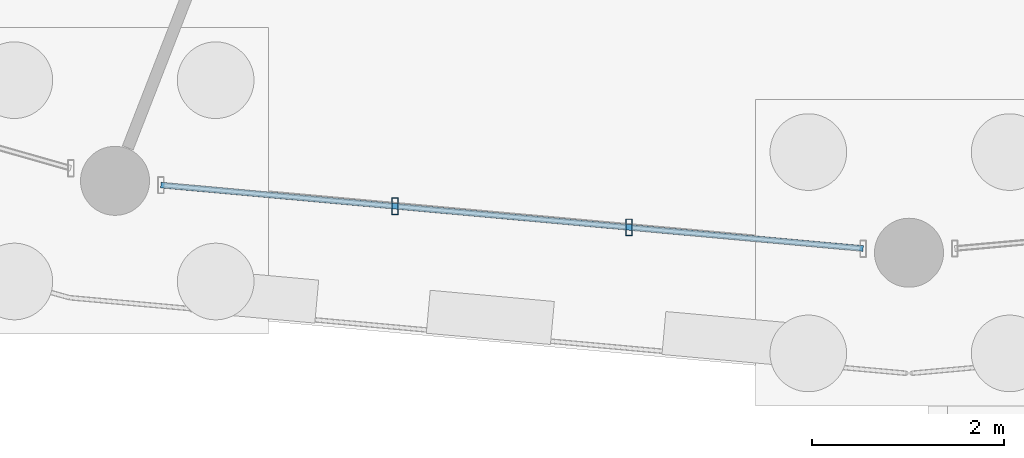
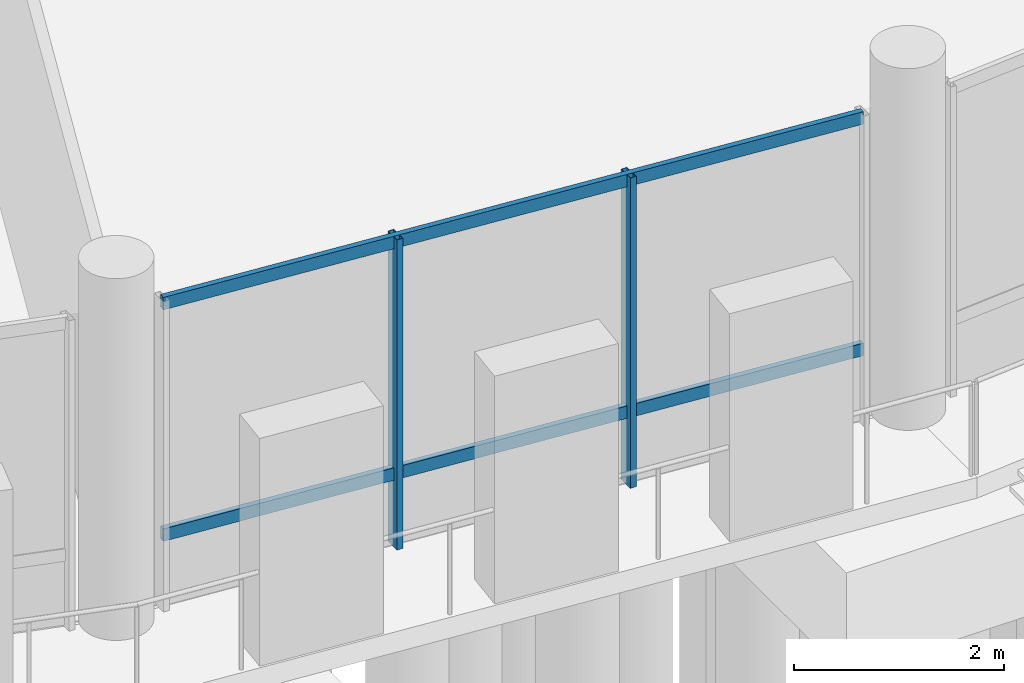
# One storey, part 33 of 98: 4 members, 1 element without a shape of its own.
"""IFC4 building model written with IfcOpenShell, lengths in metres."""

from ifc_helpers import new_model, si_unit, direction, frame, origin, origin_2d, place, context, subcontext, project, spatial, hollow_rectangle, extrude, material, material_profile, profile_set, type_object, element, aggregate, save


model = new_model("IFC4")

# Units and contexts
model_context = context("Model", 3, precision=1e-05, world=origin(), true_north=direction((0.0, 1.0)))
body_context = subcontext(model_context, "Body", "Model", "MODEL_VIEW")
ifc_project = project(units=[si_unit("LENGTHUNIT", "METRE"), si_unit("AREAUNIT", "SQUARE_METRE"), si_unit("VOLUMEUNIT", "CUBIC_METRE"), si_unit("PLANEANGLEUNIT", "RADIAN"), si_unit("MASSUNIT", "GRAM", prefix="KILO")], contexts=[model_context])

# Site, building, storey
site_placement = place(None, origin())
site = spatial("IfcSite", under=ifc_project, at=site_placement, CompositionType="ELEMENT")
building_placement = place(site_placement, origin())
building = spatial("IfcBuilding", under=site, at=building_placement, Name="Zornivar Specialist Clinic", CompositionType="ELEMENT")
storey_placement = place(building_placement, origin())
storey = spatial("IfcBuildingStorey", under=building, at=storey_placement, Name="L00", CompositionType="ELEMENT", Elevation=0.0)

# Curtain wall, members
ifc_material_1 = material(Name="Aluminium and Low-E Glass Curtain Wall", Category="aluminium")
curtain_wall_type = type_object("IfcCurtainWallType", Name="CW-DRUM-FACET", PredefinedType="NOTDEFINED", material=ifc_material_1)
curtain_wall_placement = place(storey_placement, origin())
curtain_wall = element("IfcCurtainWall", 1, at=curtain_wall_placement, inside=storey, type_object=curtain_wall_type, Name="cw:V1:L00:c17", PredefinedType="NOTDEFINED")
ifc_material_2 = material(Name="Aluminium AW-6060", Category="aluminium")
ifc_material_profile_1 = material_profile(ifc_material_2, hollow_rectangle(XDim=0.06494140625, YDim=0.175048828125, WallThickness=0.00439453125, at=origin_2d()), Name="ALU 65x175x4.5")
ifc_profile_set_1 = profile_set([ifc_material_profile_1], Name="Aluminium AW-6060")
member_type_1 = type_object("IfcMemberType", Name="CWM-MUL-175", PredefinedType="MULLION", material=ifc_profile_set_1)
member_1_placement = place(storey_placement, frame((88.238037109375, 36.0849609375, 0.0), z_axis=(0.0, 0.0, 1.0), x_axis=(1.0, 0.0, 0.0)))
member_1 = element("IfcMember", 2, at=member_1_placement, type_object=member_type_1, Name="cw:V1:L00:c17:mul:1", PredefinedType="MULLION", context=body_context, shape_type="SweptSolid", body=[
    extrude(hollow_rectangle(XDim=0.06494140625, YDim=0.175048828125, WallThickness=0.00439453125, at=origin_2d()), origin(), (0.0, 0.0, 1.0), 3.610107421875),
])
member_2_placement = place(storey_placement, frame((90.679931640625, 35.864013671875, 0.0), z_axis=(0.0, 0.0, 1.0), x_axis=(1.0, 0.0, 0.0)))
member_2 = element("IfcMember", 3, at=member_2_placement, type_object=member_type_1, Name="cw:V1:L00:c17:mul:2", PredefinedType="MULLION", context=body_context, shape_type="SweptSolid", body=[
    extrude(hollow_rectangle(XDim=0.06494140625, YDim=0.175048828125, WallThickness=0.00439453125, at=origin_2d()), origin(), (0.0, 0.0, 1.0), 3.610107421875),
])
ifc_material_3 = material(Name="Aluminium AW-6060", Category="aluminium")
ifc_material_profile_2 = material_profile(ifc_material_3, hollow_rectangle(XDim=0.06005859375, YDim=0.14501953125, WallThickness=0.00390625, at=origin_2d()), Name="ALU 60x145x4")
ifc_profile_set_2 = profile_set([ifc_material_profile_2], Name="Aluminium AW-6060")
member_type_2 = type_object("IfcMemberType", Name="CWM-TRN-145", PredefinedType="USERDEFINED", material=ifc_profile_set_2)
member_3_placement = place(storey_placement, frame((85.7958984375, 36.305908203125, 0.85009765625), z_axis=(0.995943921343, -0.089976138722, 0.0), x_axis=(0.089976138722, 0.995943921343, 0.0)))
member_3 = element("IfcMember", 4, at=member_3_placement, type_object=member_type_2, Name="cw:V1:L00:c17:trn:0", ObjectType="TRANSOM", PredefinedType="USERDEFINED", context=body_context, shape_type="SweptSolid", body=[
    extrude(hollow_rectangle(XDim=0.06005859375, YDim=0.14501953125, WallThickness=0.00390625, at=origin_2d()), origin(), (0.0, 0.0, 1.0), 7.35595703125),
])
member_4_placement = place(storey_placement, frame((85.7958984375, 36.305908203125, 3.544921875), z_axis=(0.995943921343, -0.089976138722, 0.0), x_axis=(0.089976138722, 0.995943921343, 0.0)))
member_4 = element("IfcMember", 5, at=member_4_placement, type_object=member_type_2, Name="cw:V1:L00:c17:trn:1", ObjectType="TRANSOM", PredefinedType="USERDEFINED", context=body_context, shape_type="SweptSolid", body=[
    extrude(hollow_rectangle(XDim=0.06005859375, YDim=0.14501953125, WallThickness=0.00390625, at=origin_2d()), origin(), (0.0, 0.0, 1.0), 7.35595703125),
])
aggregate(curtain_wall, [member_1, member_2, member_3, member_4])

save(model, "model.ifc")
